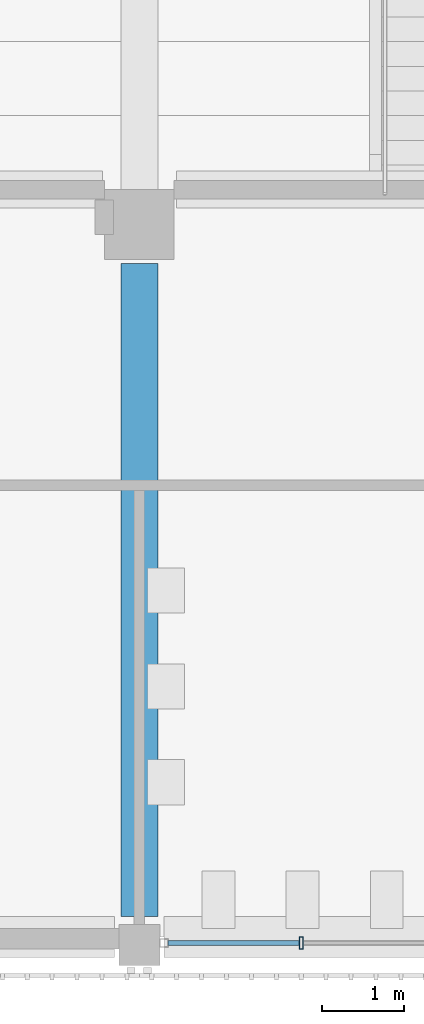
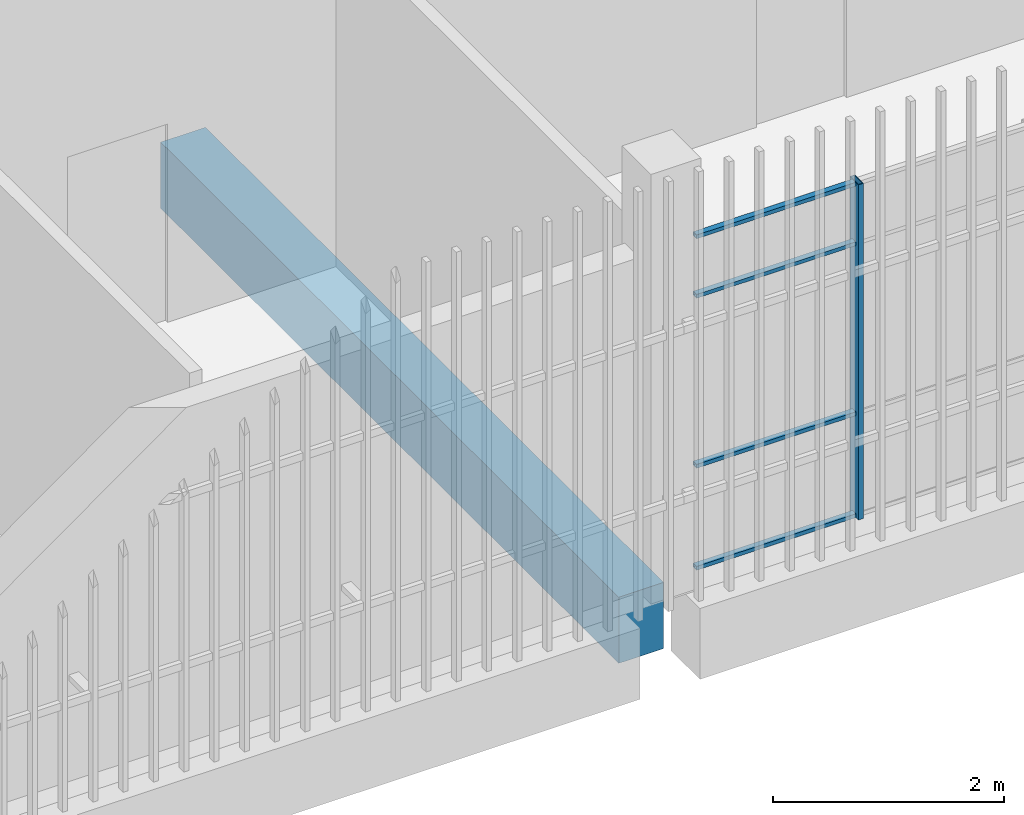
# One storey, part 10 of 139: 5 members, 1 beam, 1 element without a shape of its own.
"""IFC4 building model written with IfcOpenShell, lengths in metres."""

from ifc_helpers import new_model, si_unit, direction, frame, origin, origin_2d, place, context, subcontext, project, spatial, rectangle, hollow_rectangle, extrude, material, layer, layer_set, material_profile, profile_set, type_object, element, aggregate, save


model = new_model("IFC4")

# Units and contexts
model_context = context("Model", 3, precision=1e-05, world=origin(), true_north=direction((0.0, 1.0)))
body_context = subcontext(model_context, "Body", "Model", "MODEL_VIEW")
ifc_project = project(units=[si_unit("LENGTHUNIT", "METRE"), si_unit("AREAUNIT", "SQUARE_METRE"), si_unit("VOLUMEUNIT", "CUBIC_METRE"), si_unit("PLANEANGLEUNIT", "RADIAN"), si_unit("MASSUNIT", "GRAM", prefix="KILO")], contexts=[model_context])

# Site, building, storey
site_placement = place(None, origin())
site = spatial("IfcSite", under=ifc_project, at=site_placement, CompositionType="ELEMENT")
building_placement = place(site_placement, origin())
building = spatial("IfcBuilding", under=site, at=building_placement, Name="Shirokan Park Arena", CompositionType="ELEMENT")
storey_placement = place(building_placement, frame((0.0, 0.0, 15.469970703125)))
storey = spatial("IfcBuildingStorey", under=building, at=storey_placement, Name="L03", CompositionType="ELEMENT", Elevation=15.469970703125)

# Curtain wall, member
ifc_material_1 = material(Name="Steel and glass curtain wall", Category="steel")
ifc_layer = layer(ifc_material_1, 0.14990234375)
ifc_layer_set = layer_set([ifc_layer], Name="Steel and glass curtain wall 150 mm")
curtain_wall_type = type_object("IfcCurtainWallType", Name="Curtain wall exposed bay 150", PredefinedType="NOTDEFINED", material=ifc_layer_set)
curtain_wall_placement = place(storey_placement, origin())
curtain_wall = element("IfcCurtainWall", 1, at=curtain_wall_placement, inside=storey, type_object=curtain_wall_type, Name="Curtain wall south bay 6 L03", PredefinedType="NOTDEFINED")
ifc_material_2 = material(Name="Steel S355", Category="steel")
ifc_material_profile_1 = material_profile(ifc_material_2, hollow_rectangle(XDim=0.14990234375, YDim=0.050048828125, WallThickness=0.006103515625, at=origin_2d()), Name="RHS 150x50x6")
ifc_profile_set_1 = profile_set([ifc_material_profile_1], Name="Steel S355")
member_type_1 = type_object("IfcMemberType", Name="Mullion RHS 150x50x6", PredefinedType="MULLION", material=ifc_profile_set_1)
member_1_placement = place(storey_placement, frame((47.469970703125, -0.074951171875, 0.0), z_axis=(0.0, 0.0, 1.0), x_axis=(0.0, 1.0, 0.0)))
member_1 = element("IfcMember", 2, at=member_1_placement, type_object=member_type_1, Name="CW1 mullion 2", PredefinedType="MULLION", context=body_context, shape_type="SweptSolid", body=[
    extrude(hollow_rectangle(XDim=0.14990234375, YDim=0.050048828125, WallThickness=0.006103515625, at=origin_2d()), origin(), (0.0, 0.0, 1.0), 3.550048828125),
])

# Beam
ifc_material_3 = material(Name="Concrete C35", Category="concrete")
ifc_material_profile_2 = material_profile(ifc_material_3, rectangle(XDim=0.449951171875, YDim=0.699951171875, at=origin_2d()), Name="450x700")
ifc_profile_set_2 = profile_set([ifc_material_profile_2], Name="Concrete C35")
beam_type = type_object("IfcBeamType", Name="RC girder 450x700", PredefinedType="BEAM", material=ifc_profile_set_2)
beam_placement = place(storey_placement, frame((45.5, 0.25, -0.64990234375), z_axis=(0.0, 1.0, 0.0), x_axis=(-1.0, 0.0, 0.0)))
element("IfcBeam", 3, at=beam_placement, inside=storey, type_object=beam_type, Name="Girder 6A-6B L03", PredefinedType="BEAM", context=body_context, shape_type="SweptSolid", body=[
    extrude(rectangle(XDim=0.449951171875, YDim=0.699951171875, at=origin_2d()), origin(), (0.0, 0.0, 1.0), 7.949951171875),
])

# Member
ifc_material_profile_3 = material_profile(ifc_material_2, hollow_rectangle(XDim=0.06005859375, YDim=0.0400390625, WallThickness=0.00390625, at=origin_2d()), Name="RHS 60x40x4")
ifc_profile_set_3 = profile_set([ifc_material_profile_3], Name="Steel S355")
member_type_2 = type_object("IfcMemberType", Name="Transom RHS 60x40x4", PredefinedType="MULLION", material=ifc_profile_set_3)
member_2_placement = place(storey_placement, frame((45.85009765625, -0.074951171875, 0.02001953125), z_axis=(1.0, 0.0, 0.0), x_axis=(0.0, 1.0, 0.0)))
member_2 = element("IfcMember", 4, at=member_2_placement, type_object=member_type_2, Name="CW1 transom 1.1", PredefinedType="MULLION", context=body_context, shape_type="SweptSolid", body=[
    extrude(hollow_rectangle(XDim=0.06005859375, YDim=0.0400390625, WallThickness=0.00390625, at=origin_2d()), origin(), (0.0, 0.0, 1.0), 1.594970703125),
])

member_3_placement = place(storey_placement, frame((45.85009765625, -0.074951171875, 1.10009765625), z_axis=(1.0, 0.0, 0.0), x_axis=(0.0, 1.0, 0.0)))
member_3 = element("IfcMember", 5, at=member_3_placement, type_object=member_type_2, Name="CW1 transom 1.2", PredefinedType="MULLION", context=body_context, shape_type="SweptSolid", body=[
    extrude(hollow_rectangle(XDim=0.06005859375, YDim=0.0400390625, WallThickness=0.00390625, at=origin_2d()), origin(), (0.0, 0.0, 1.0), 1.594970703125),
])

member_4_placement = place(storey_placement, frame((45.85009765625, -0.074951171875, 2.900146484375), z_axis=(1.0, 0.0, 0.0), x_axis=(0.0, 1.0, 0.0)))
member_4 = element("IfcMember", 6, at=member_4_placement, type_object=member_type_2, Name="CW1 transom 1.3", PredefinedType="MULLION", context=body_context, shape_type="SweptSolid", body=[
    extrude(hollow_rectangle(XDim=0.06005859375, YDim=0.0400390625, WallThickness=0.00390625, at=origin_2d()), origin(), (0.0, 0.0, 1.0), 1.594970703125),
])

member_5_placement = place(storey_placement, frame((45.85009765625, -0.074951171875, 3.530029296875), z_axis=(1.0, 0.0, 0.0), x_axis=(0.0, 1.0, 0.0)))
member_5 = element("IfcMember", 7, at=member_5_placement, type_object=member_type_2, Name="CW1 transom 1.4", PredefinedType="MULLION", context=body_context, shape_type="SweptSolid", body=[
    extrude(hollow_rectangle(XDim=0.06005859375, YDim=0.0400390625, WallThickness=0.00390625, at=origin_2d()), origin(), (0.0, 0.0, 1.0), 1.594970703125),
])

aggregate(curtain_wall, [member_1, member_2, member_3, member_4, member_5])

save(model, "model.ifc")
